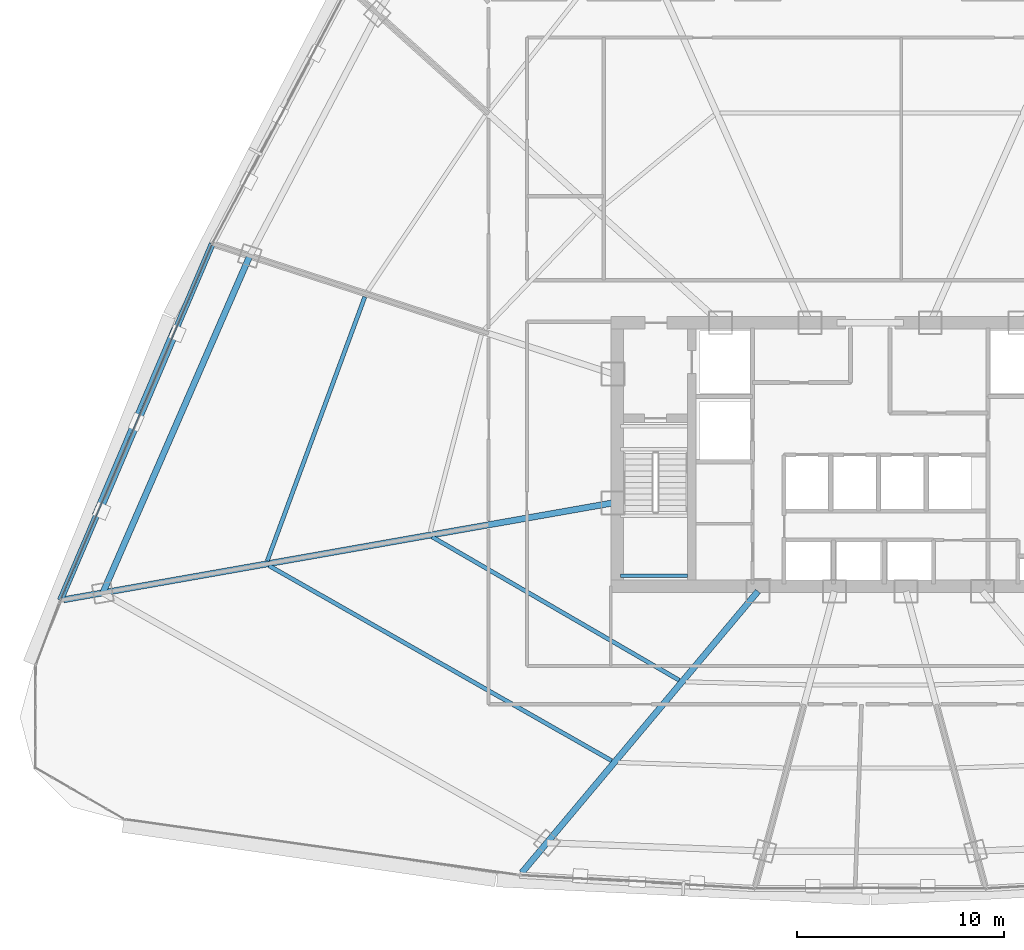
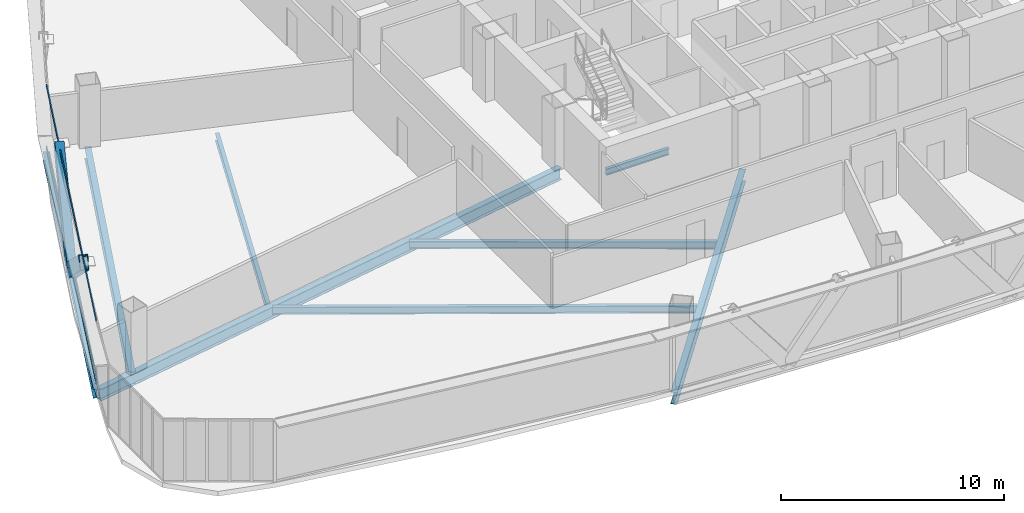
# One storey, part 7 of 42: 8 beams, 4 members, 1 element without a shape of its own.
"""IFC4 building model written with IfcOpenShell, lengths in metres."""

from ifc_helpers import new_model, si_unit, direction, frame, origin, origin_2d, place, context, subcontext, project, spatial, hollow_rectangle, i_section, extrude, source, transform, mapped, material, layer, layer_set, material_profile, profile_set, type_object, element, aggregate, save


model = new_model("IFC4")

# Units and contexts
model_context = context("Model", 3, precision=1e-05, world=origin(), true_north=direction((0.0, 1.0)))
body_context = subcontext(model_context, "Body", "Model", "MODEL_VIEW")
ifc_project = project(units=[si_unit("LENGTHUNIT", "METRE"), si_unit("AREAUNIT", "SQUARE_METRE"), si_unit("VOLUMEUNIT", "CUBIC_METRE"), si_unit("PLANEANGLEUNIT", "RADIAN"), si_unit("MASSUNIT", "GRAM", prefix="KILO"), si_unit("THERMODYNAMICTEMPERATUREUNIT", "KELVIN"), si_unit("POWERUNIT", "WATT")], contexts=[model_context])

# Site, building, storey
site_placement = place(None, origin())
site = spatial("IfcSite", under=ifc_project, at=site_placement, CompositionType="ELEMENT")
building_placement = place(site_placement, origin())
building = spatial("IfcBuilding", under=site, at=building_placement, Name="Yunzhuo Pagoda Commons", CompositionType="ELEMENT")
storey_placement = place(building_placement, frame((0.0, 0.0, 137.18994140625)))
storey = spatial("IfcBuildingStorey", under=building, at=storey_placement, Name="L34", CompositionType="ELEMENT", Elevation=137.18994140625)

# Beams
ifc_material_1 = material(Name="Structural steel Q355B", Category="steel")
ifc_material_profile_1 = material_profile(ifc_material_1, i_section(OverallWidth=0.175048828125, OverallDepth=0.35009765625, WebThickness=0.007080078125, FlangeThickness=0.010986328125, at=origin_2d()), Name="Structural steel Q355B")
ifc_profile_set_1 = profile_set([ifc_material_profile_1], Name="Structural steel Q355B")
beam_type_1 = type_object("IfcBeamType", Name="B-JS2 Joist HN 350x175x7x11", PredefinedType="JOIST", material=ifc_profile_set_1)
shared_shape_1 = source(origin(), body_context, "Body", "SweptSolid", [
    extrude(i_section(OverallWidth=0.175048828125, OverallDepth=0.35009765625, WebThickness=0.007080078125, FlangeThickness=0.010986328125, at=origin_2d()), origin(), (0.0, 0.0, 1.0), 3.25),
])
beam_1_placement = place(storey_placement, frame((35.949951171875, 28.0, 1.465087890625), z_axis=(1.0, 0.0, 0.0), x_axis=(0.0, 1.0, 0.0)))
element("IfcBeam", 1, at=beam_1_placement, inside=storey, type_object=beam_type_1, Name="L34 ST1 landing support beam 40A", PredefinedType="JOIST", context=body_context, shape_type="MappedRepresentation", body=[
    mapped(shared_shape_1, transform((0.0, 0.0, 0.0), scale=1.0)),
])
ifc_material_profile_2 = material_profile(ifc_material_1, i_section(OverallWidth=0.300048828125, OverallDepth=0.488037109375, WebThickness=0.010986328125, FlangeThickness=0.01806640625, at=origin_2d()), Name="Structural steel Q355B")
ifc_profile_set_2 = profile_set([ifc_material_profile_2], Name="Structural steel Q355B")
beam_type_2 = type_object("IfcBeamType", Name="B-SP1 Beam HM 488x300x11x18", PredefinedType="BEAM", material=ifc_profile_set_2)
shared_shape_2 = source(origin(), body_context, "Body", "SweptSolid", [
    extrude(i_section(OverallWidth=0.300048828125, OverallDepth=0.488037109375, WebThickness=0.010986328125, FlangeThickness=0.01806640625, at=origin_2d()), origin(), (0.0, 0.0, 1.0), 18.688232421875),
])
beam_2_placement = place(storey_placement, frame((16.279541015625, 44.006591796875, -0.50390625), z_axis=(-0.392084847938, -0.919929058144, 0.0), x_axis=(0.919929058144, -0.392084847938, 0.0)))
element("IfcBeam", 2, at=beam_2_placement, inside=storey, type_object=beam_type_2, Name="L34 facade edge spandrel beam F3.3", PredefinedType="BEAM", context=body_context, shape_type="MappedRepresentation", body=[
    mapped(shared_shape_2, transform((0.0, 0.0, 0.0), scale=1.0)),
])
ifc_material_profile_3 = material_profile(ifc_material_1, i_section(OverallWidth=0.300048828125, OverallDepth=0.64990234375, WebThickness=0.012939453125, FlangeThickness=0.02197265625, at=origin_2d()), Name="Structural steel Q355B")
ifc_profile_set_3 = profile_set([ifc_material_profile_3], Name="Structural steel Q355B")
beam_type_3 = type_object("IfcBeamType", Name="B-RG2 Beam HN 650x300x13x22", PredefinedType="BEAM", material=ifc_profile_set_3)
shared_shape_3 = source(origin(), body_context, "Body", "SweptSolid", [
    extrude(i_section(OverallWidth=0.300048828125, OverallDepth=0.64990234375, WebThickness=0.012939453125, FlangeThickness=0.02197265625, at=origin_2d()), origin(), (0.0, 0.0, 1.0), 17.714111328125),
])
beam_3_placement = place(storey_placement, frame((31.201416015625, 13.68017578125, -0.584716796875), z_axis=(0.6427889385, 0.76604332811, 0.0), x_axis=(-0.76604332811, 0.6427889385, 0.0)))
element("IfcBeam", 3, at=beam_3_placement, inside=storey, type_object=beam_type_3, Name="L34 radial floor girder F1C1", PredefinedType="BEAM", context=body_context, shape_type="MappedRepresentation", body=[
    mapped(shared_shape_3, transform((0.0, 0.0, 0.0), scale=1.0)),
])
shared_shape_4 = source(origin(), body_context, "Body", "SweptSolid", [
    extrude(i_section(OverallWidth=0.300048828125, OverallDepth=0.64990234375, WebThickness=0.012939453125, FlangeThickness=0.02197265625, at=origin_2d()), origin(), (0.0, 0.0, 1.0), 26.904052734375),
])
beam_4_placement = place(storey_placement, frame((9.104736328125, 26.841796875, -0.584716796875), z_axis=(0.984809127253, 0.173640383782, 0.0), x_axis=(-0.173640383782, 0.984809127253, 0.0)))
element("IfcBeam", 4, at=beam_4_placement, inside=storey, type_object=beam_type_3, Name="L34 radial floor girder F3C4", PredefinedType="BEAM", context=body_context, shape_type="MappedRepresentation", body=[
    mapped(shared_shape_4, transform((0.0, 0.0, 0.0), scale=1.0)),
])
ifc_material_profile_4 = material_profile(ifc_material_1, i_section(OverallWidth=0.199951171875, OverallDepth=0.39990234375, WebThickness=0.008056640625, FlangeThickness=0.012939453125, at=origin_2d()), Name="Structural steel Q355B")
ifc_profile_set_4 = profile_set([ifc_material_profile_4], Name="Structural steel Q355B")
beam_type_4 = type_object("IfcBeamType", Name="B-JS1 Joist HN 400x200x8x13", PredefinedType="JOIST", material=ifc_profile_set_4)
shared_shape_5 = source(origin(), body_context, "Body", "SweptSolid", [
    extrude(i_section(OverallWidth=0.199951171875, OverallDepth=0.39990234375, WebThickness=0.008056640625, FlangeThickness=0.012939453125, at=origin_2d()), origin(), (0.0, 0.0, 1.0), 13.76416015625),
])
beam_5_placement = place(storey_placement, frame((26.882568359375, 29.87255859375, -0.459716796875), z_axis=(0.864967288101, -0.501828248025, 0.0), x_axis=(0.501828248025, 0.864967288101, 0.0)))
element("IfcBeam", 5, at=beam_5_placement, inside=storey, type_object=beam_type_4, Name="L34 composite ring joist 1.12", PredefinedType="JOIST", context=body_context, shape_type="MappedRepresentation", body=[
    mapped(shared_shape_5, transform((0.0, 0.0, 0.0), scale=1.0)),
])
shared_shape_6 = source(origin(), body_context, "Body", "SweptSolid", [
    extrude(i_section(OverallWidth=0.199951171875, OverallDepth=0.39990234375, WebThickness=0.008056640625, FlangeThickness=0.012939453125, at=origin_2d()), origin(), (0.0, 0.0, 1.0), 19.007568359375),
])
beam_6_placement = place(storey_placement, frame((19.01220703125, 28.485595703125, -0.459716796875), z_axis=(0.869119947472, -0.494601371718, 0.0), x_axis=(0.494601371718, 0.869119947472, 0.0)))
element("IfcBeam", 6, at=beam_6_placement, inside=storey, type_object=beam_type_4, Name="L34 composite ring joist 2.12", PredefinedType="JOIST", context=body_context, shape_type="MappedRepresentation", body=[
    mapped(shared_shape_6, transform((0.0, 0.0, 0.0), scale=1.0)),
])
shared_shape_7 = source(origin(), body_context, "Body", "SweptSolid", [
    extrude(i_section(OverallWidth=0.300048828125, OverallDepth=0.64990234375, WebThickness=0.012939453125, FlangeThickness=0.02197265625, at=origin_2d()), origin(), (0.0, 0.0, 1.0), 17.72021484375),
])
beam_7_placement = place(storey_placement, frame((18.084716796875, 43.420166015625, -0.584716796875), z_axis=(-0.399643307961, -0.916670729544, 0.0), x_axis=(0.916670729544, -0.399643307961, 0.0)))
element("IfcBeam", 7, at=beam_7_placement, inside=storey, type_object=beam_type_3, Name="L34 column-ring beam 11", PredefinedType="BEAM", context=body_context, shape_type="MappedRepresentation", body=[
    mapped(shared_shape_7, transform((0.0, 0.0, 0.0), scale=1.0)),
])
shared_shape_8 = source(origin(), body_context, "Body", "SweptSolid", [
    extrude(i_section(OverallWidth=0.199951171875, OverallDepth=0.39990234375, WebThickness=0.008056640625, FlangeThickness=0.012939453125, at=origin_2d()), origin(), (0.0, 0.0, 1.0), 13.577880859375),
])
beam_8_placement = place(storey_placement, frame((23.634765625, 41.44970703125, -0.459716796875), z_axis=(-0.3465634723, -0.938026523968, 0.0), x_axis=(0.938026523968, -0.3465634723, 0.0)))
element("IfcBeam", 8, at=beam_8_placement, inside=storey, type_object=beam_type_4, Name="L34 composite ring joist 2.11", PredefinedType="JOIST", context=body_context, shape_type="MappedRepresentation", body=[
    mapped(shared_shape_8, transform((0.0, 0.0, 0.0), scale=1.0)),
])

# Members
ifc_material_2 = material(Name="Structural steel Q420B", Category="steel")
ifc_material_profile_5 = material_profile(ifc_material_2, hollow_rectangle(XDim=0.419921875, YDim=0.719970703125, WallThickness=0.028076171875, at=origin_2d()), Name="Structural steel Q420B")
ifc_profile_set_5 = profile_set([ifc_material_profile_5], Name="Structural steel Q420B")
member_type_1 = type_object("IfcMemberType", Name="M-DL1 Brace BOX 720x420x28", PredefinedType="BRACE", material=ifc_profile_set_5)
shared_shape_9 = source(origin(), body_context, "Body", "SweptSolid", [
    extrude(hollow_rectangle(XDim=0.419921875, YDim=0.719970703125, WallThickness=0.028076171875, at=origin_2d()), origin(), (0.0, 0.0, 1.0), 5.947265625),
])
member_1_placement = place(storey_placement, frame((12.61572265625, 35.410888671875, -0.260009765625), z_axis=(0.308011026599, 0.722633360151, 0.618813569898), x_axis=(-0.919921719553, 0.39210206566, 0.0)))
element("IfcMember", 9, at=member_1_placement, inside=storey, type_object=member_type_1, Name="L34 facade diamond brace F3.3L", PredefinedType="BRACE", context=body_context, shape_type="MappedRepresentation", body=[
    mapped(shared_shape_9, transform((0.0, 0.0, 0.0), scale=1.0)),
])
shared_shape_10 = source(origin(), body_context, "Body", "SweptSolid", [
    extrude(hollow_rectangle(XDim=0.419921875, YDim=0.719970703125, WallThickness=0.028076171875, at=origin_2d()), origin(), (0.0, 0.0, 1.0), 5.947509765625),
])
member_2_placement = place(storey_placement, frame((12.61572265625, 35.410888671875, -0.260009765625), z_axis=(-0.307955596614, -0.722681721992, 0.6187846792), x_axis=(0.919956632519, -0.392020145252, 0.0)))
element("IfcMember", 10, at=member_2_placement, inside=storey, type_object=member_type_1, Name="L34 facade diamond brace F3.3R", PredefinedType="BRACE", context=body_context, shape_type="MappedRepresentation", body=[
    mapped(shared_shape_10, transform((0.0, 0.0, 0.0), scale=1.0)),
])

# Curtain wall, members
ifc_material_3 = material(Name="Anodized aluminium 6063-T6", Category="aluminium")
ifc_layer = layer(ifc_material_3, 0.14990234375)
ifc_layer_set = layer_set([ifc_layer], Name="Anodized aluminium 6063-T6")
curtain_wall_type = type_object("IfcCurtainWallType", Name="CW-MID Mid-Zone Ribbon Curtain Wall", PredefinedType="NOTDEFINED", material=ifc_layer_set)
curtain_wall_placement = place(storey_placement, origin())
curtain_wall = element("IfcCurtainWall", 11, at=curtain_wall_placement, inside=storey, type_object=curtain_wall_type, Name="L34 curtain wall CW-L34-F3B4", PredefinedType="NOTDEFINED")
ifc_material_profile_6 = material_profile(ifc_material_3, hollow_rectangle(XDim=0.054931640625, YDim=0.1298828125, WallThickness=0.00341796875, at=origin_2d()), Name="Anodized aluminium 6063-T6")
ifc_profile_set_6 = profile_set([ifc_material_profile_6], Name="Anodized aluminium 6063-T6")
member_type_2 = type_object("IfcMemberType", Name="CW-MID-T Transom RHS 130x55x3.5", PredefinedType="USERDEFINED", material=ifc_profile_set_6)
shared_shape_11 = source(origin(), body_context, "Body", "SweptSolid", [
    extrude(hollow_rectangle(XDim=0.054931640625, YDim=0.1298828125, WallThickness=0.00341796875, at=origin_2d()), origin(), (0.0, 0.0, 1.0), 18.568115234375),
])
member_3_placement = place(storey_placement, frame((16.255859375, 43.951416015625, 0.027587890625), z_axis=(-0.392085671986, -0.919928706924, 0.0), x_axis=(0.919928706924, -0.392085671986, 0.0)))
member_3 = element("IfcMember", 12, at=member_3_placement, type_object=member_type_2, Name="CW transom 1.1", ObjectType="TRANSOM", PredefinedType="USERDEFINED", context=body_context, shape_type="MappedRepresentation", body=[
    mapped(shared_shape_11, transform((0.0, 0.0, 0.0), scale=1.0)),
])
member_4_placement = place(storey_placement, frame((16.255859375, 43.951416015625, 3.392822265625), z_axis=(-0.392085671986, -0.919928706924, 0.0), x_axis=(0.919928706924, -0.392085671986, 0.0)))
member_4 = element("IfcMember", 13, at=member_4_placement, type_object=member_type_2, Name="CW transom 1.2", ObjectType="TRANSOM", PredefinedType="USERDEFINED", context=body_context, shape_type="MappedRepresentation", body=[
    mapped(shared_shape_11, transform((0.0, 0.0, 0.0), scale=1.0)),
])
aggregate(curtain_wall, [member_3, member_4])

save(model, "model.ifc")
